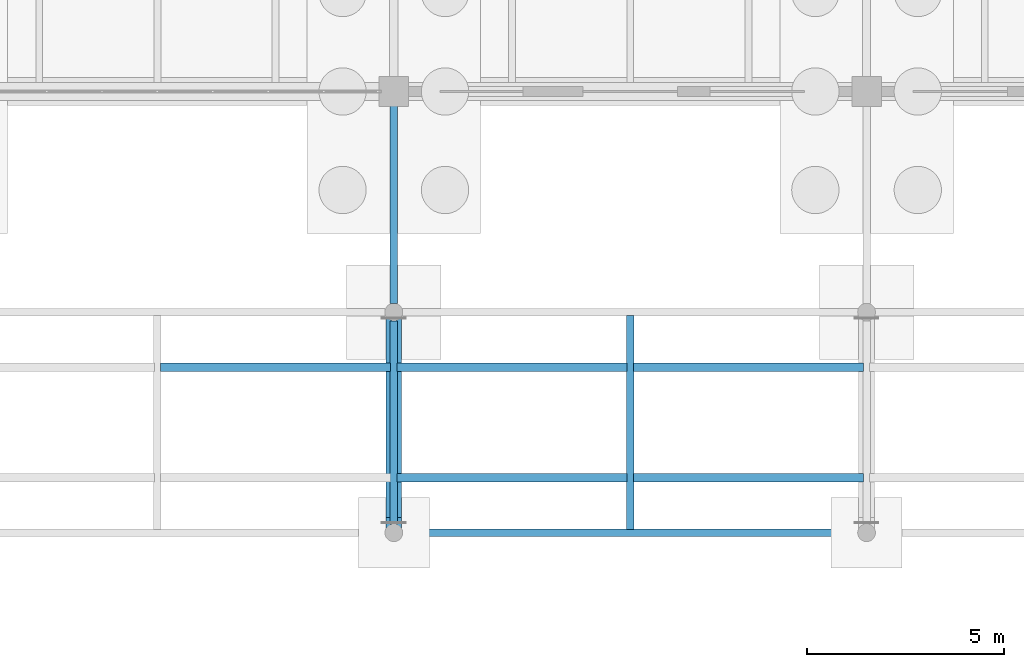
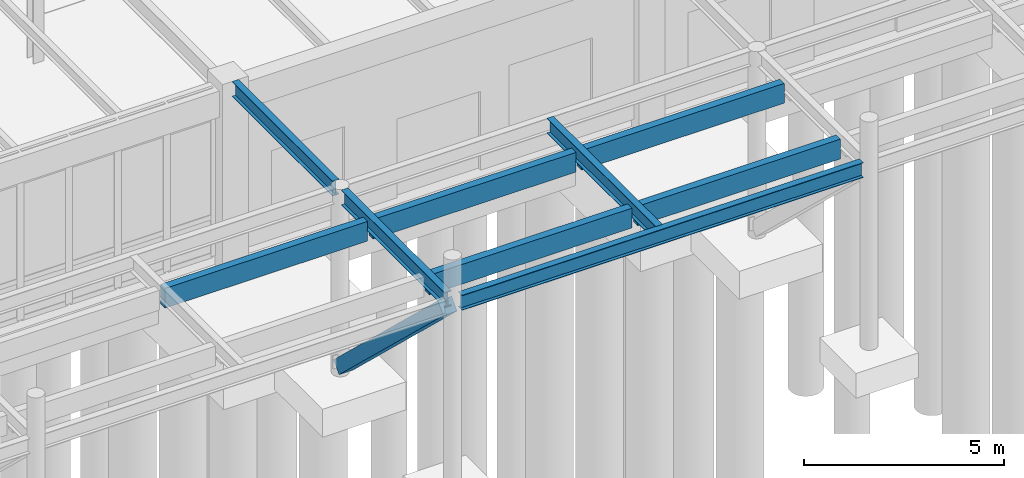
# One storey, part 57 of 188: 6 members, 4 beams.
"""IFC4 building model written with IfcOpenShell, lengths in metres."""

from ifc_helpers import new_model, si_unit, direction, frame, origin, origin_2d, place, context, subcontext, project, spatial, rectangle, i_section, extrude, material, material_profile, profile_set, type_object, element, save


model = new_model("IFC4")

# Units and contexts
model_context = context("Model", 3, precision=1e-05, world=origin(), true_north=direction((0.0, 1.0)))
body_context = subcontext(model_context, "Body", "Model", "MODEL_VIEW")
ifc_project = project(units=[si_unit("LENGTHUNIT", "METRE"), si_unit("AREAUNIT", "SQUARE_METRE"), si_unit("VOLUMEUNIT", "CUBIC_METRE"), si_unit("PLANEANGLEUNIT", "RADIAN"), si_unit("MASSUNIT", "GRAM", prefix="KILO")], contexts=[model_context])

# Site, building, storey
site_placement = place(None, origin())
site = spatial("IfcSite", under=ifc_project, at=site_placement, CompositionType="ELEMENT")
building_placement = place(site_placement, origin())
building = spatial("IfcBuilding", under=site, at=building_placement, Name="Pandanus Reach Market Hall", CompositionType="ELEMENT")
storey_placement = place(building_placement, origin())
storey = spatial("IfcBuildingStorey", under=building, at=storey_placement, Name="L00", CompositionType="ELEMENT", Elevation=0.0)

# Beams
ifc_material_1 = material(Name="Steel Grade 350 (350 MPa)", Category="steel")
ifc_material_profile_1 = material_profile(ifc_material_1, i_section(OverallWidth=0.18994140625, OverallDepth=0.45703125, WebThickness=0.009033203125, FlangeThickness=0.014404296875, at=origin_2d()), Name="460UB74.6", Category="LoadBearing")
ifc_profile_set_1 = profile_set([ifc_material_profile_1], Name="Steel Grade 350 (350 MPa)")
beam_type = type_object("IfcBeamType", Name="BM-UB460-E", PredefinedType="BEAM", material=ifc_profile_set_1)
beam_1_placement = place(storey_placement, frame((84.0, 17.820068359375, 5.169921875), z_axis=(0.0, 1.0, 0.0), x_axis=(-1.0, 0.0, 0.0)))
element("IfcBeam", 1, at=beam_1_placement, inside=storey, type_object=beam_type, Name="Forecourt canopy beam C3A", PredefinedType="BEAM", context=body_context, shape_type="SweptSolid", body=[
    extrude(i_section(OverallWidth=0.18994140625, OverallDepth=0.45703125, WebThickness=0.009033203125, FlangeThickness=0.014404296875, at=origin_2d()), origin(), (0.0, 0.0, 1.0), 5.159912109375),
])
beam_2_placement = place(storey_placement, frame((84.0, 23.419921875, 5.169921875), z_axis=(0.0, 1.0, 0.0), x_axis=(-1.0, 0.0, 0.0)))
element("IfcBeam", 2, at=beam_2_placement, inside=storey, type_object=beam_type, Name="Forecourt canopy tie beam C3B", PredefinedType="BEAM", context=body_context, shape_type="SweptSolid", body=[
    extrude(i_section(OverallWidth=0.18994140625, OverallDepth=0.45703125, WebThickness=0.009033203125, FlangeThickness=0.014404296875, at=origin_2d()), origin(), (0.0, 0.0, 1.0), 5.010009765625),
])
beam_3_placement = place(storey_placement, frame((84.219970703125, 17.60009765625, 5.169921875), z_axis=(1.0, 0.0, 0.0), x_axis=(0.0, 1.0, 0.0)))
element("IfcBeam", 3, at=beam_3_placement, inside=storey, type_object=beam_type, Name="Forecourt canopy front girder C3", PredefinedType="BEAM", context=body_context, shape_type="SweptSolid", body=[
    extrude(i_section(OverallWidth=0.18994140625, OverallDepth=0.45703125, WebThickness=0.009033203125, FlangeThickness=0.014404296875, at=origin_2d()), origin(), (0.0, 0.0, 1.0), 11.56005859375),
])
beam_4_placement = place(storey_placement, frame((90.0, 17.679931640625, 5.169921875), z_axis=(0.0, 1.0, 0.0), x_axis=(-1.0, 0.0, 0.0)))
element("IfcBeam", 4, at=beam_4_placement, inside=storey, type_object=beam_type, Name="Forecourt canopy valley girder C3", PredefinedType="BEAM", context=body_context, shape_type="SweptSolid", body=[
    extrude(i_section(OverallWidth=0.18994140625, OverallDepth=0.45703125, WebThickness=0.009033203125, FlangeThickness=0.014404296875, at=origin_2d()), origin(), (0.0, 0.0, 1.0), 5.440185546875),
])

# Members
ifc_material_2 = material(Name="Glulam timber GL17", Category="wood")
ifc_material_profile_2 = material_profile(ifc_material_2, rectangle(XDim=0.215087890625, YDim=0.60009765625, at=origin_2d()), Name="GL215x600", Category="LoadBearing")
ifc_profile_set_2 = profile_set([ifc_material_profile_2], Name="Glulam timber GL17")
member_type_1 = type_object("IfcMemberType", Name="PR-GL215-E", PredefinedType="PURLIN", material=ifc_profile_set_2)
for number, where, z_axis, x_axis, name in (
    (5, (78.080078125, 21.800048828125, 4.919921875), (1.0, 0.0, 0.0), (0.0, 1.0, 0.0), "Canopy glulam purlin C2E"),
    (6, (84.080078125, 19.0, 4.919921875), (1.0, 0.0, 0.0), (0.0, 1.0, 0.0), "Canopy glulam purlin C3W"),
    (7, (90.080078125, 19.0, 4.919921875), (1.0, 0.0, 0.0), (0.0, 1.0, 0.0), "Canopy glulam purlin C3E"),
    (8, (84.080078125, 21.800048828125, 4.919921875), (1.0, 0.0, 0.0), (0.0, 1.0, 0.0), "Canopy glulam purlin C3W"),
    (9, (90.080078125, 21.800048828125, 4.919921875), (1.0, 0.0, 0.0), (0.0, 1.0, 0.0), "Canopy glulam purlin C3E"),
):
    element("IfcMember", number, at=place(storey_placement, frame(where, z_axis=z_axis, x_axis=x_axis)), inside=storey, type_object=member_type_1, Name=name, PredefinedType="PURLIN", context=body_context, shape_type="SweptSolid", body=[
        extrude(rectangle(XDim=0.215087890625, YDim=0.60009765625, at=origin_2d()), origin(), (0.0, 0.0, 1.0), 5.83984375),
    ])
ifc_material_3 = material(Name="Concrete N50 (50 MPa)", Category="concrete")
ifc_material_profile_3 = material_profile(ifc_material_3, rectangle(XDim=0.39990234375, YDim=0.39990234375, at=origin_2d()), Name="RC400x400", Category="LoadBearing")
ifc_profile_set_3 = profile_set([ifc_material_profile_3], Name="Concrete N50 (50 MPa)")
member_type_2 = type_object("IfcMemberType", Name="VS-RC400-E", PredefinedType="STRUT", material=ifc_profile_set_3)
member_placement = place(storey_placement, frame((84.0, 23.050048828125, 0.0), z_axis=(0.0, -0.724303696682, 0.689481076587), x_axis=(1.0, 0.0, 0.0)))
element("IfcMember", 10, at=member_placement, inside=storey, type_object=member_type_2, Name="Forecourt canopy splayed V-strut C3", PredefinedType="STRUT", context=body_context, shape_type="SweptSolid", body=[
    extrude(rectangle(XDim=0.39990234375, YDim=0.39990234375, at=origin_2d()), origin(), (0.0, 0.0, 1.0), 7.17919921875),
])

save(model, "model.ifc")
